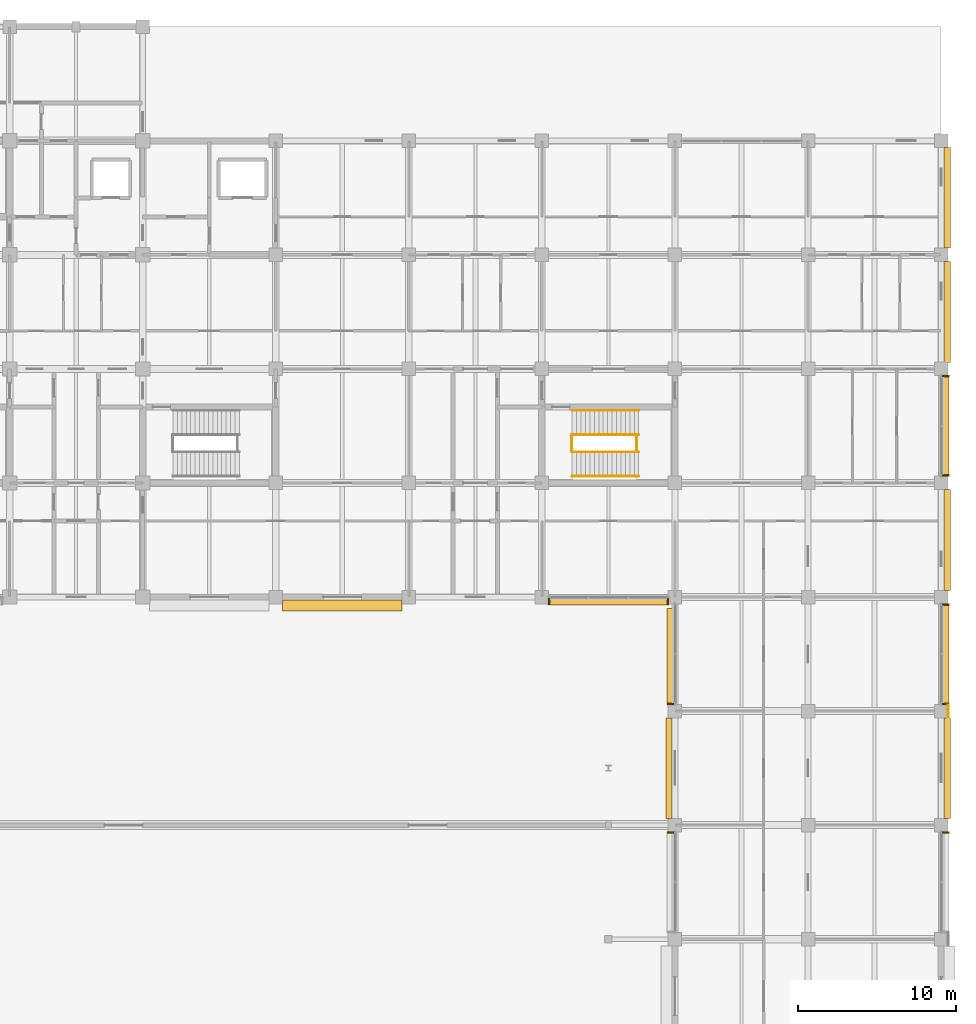
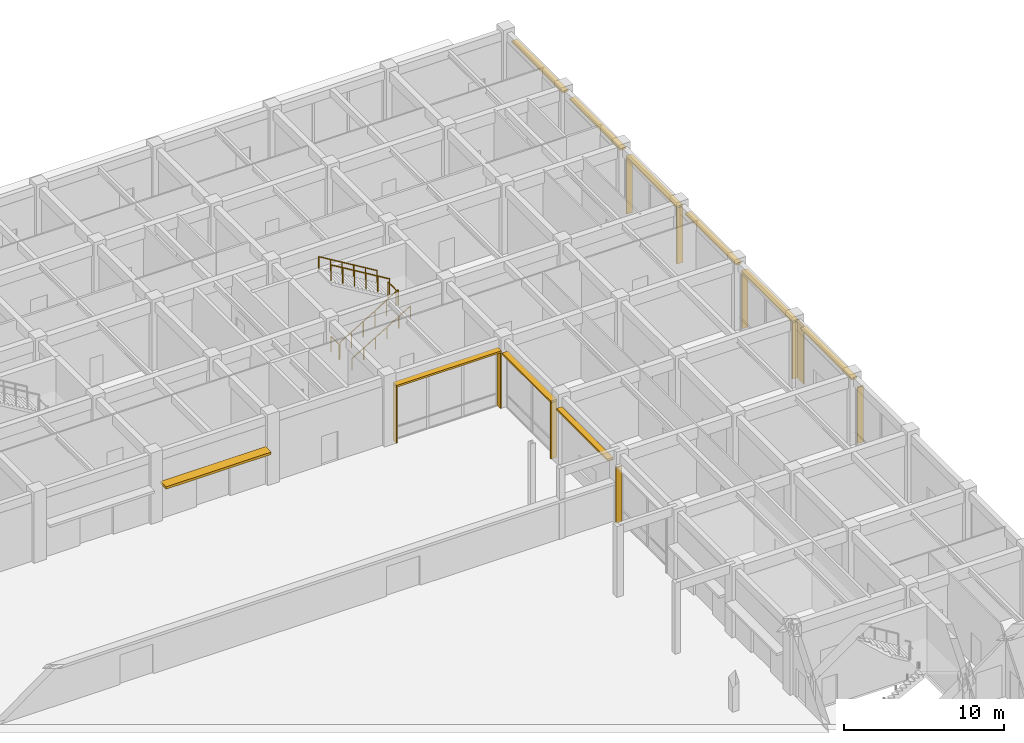
# One storey, part 73 of 73: 19 shading devices, 6 railings, 1 covering.
"""IFC4 building model written with IfcOpenShell, lengths in metres."""

from ifc_helpers import new_model, si_unit, direction, frame, origin, origin_2d, place, context, subcontext, project, spatial, rectangle, circle, extrude, material, layer, layer_set, type_object, element, save


model = new_model("IFC4")

# Units and contexts
model_context = context("Model", 3, precision=1e-05, world=origin(), true_north=direction((0.0, 1.0)))
body_context = subcontext(model_context, "Body", "Model", "MODEL_VIEW")
ifc_project = project(units=[si_unit("LENGTHUNIT", "METRE"), si_unit("AREAUNIT", "SQUARE_METRE"), si_unit("VOLUMEUNIT", "CUBIC_METRE"), si_unit("PLANEANGLEUNIT", "RADIAN"), si_unit("MASSUNIT", "GRAM", prefix="KILO")], contexts=[model_context])

# Site, building, storey
site_placement = place(None, origin())
site = spatial("IfcSite", under=ifc_project, at=site_placement, CompositionType="ELEMENT")
building_placement = place(site_placement, origin())
building = spatial("IfcBuilding", under=site, at=building_placement, Name="Chengyuan Square Courthouse", CompositionType="ELEMENT")
storey_placement = place(building_placement, origin())
storey = spatial("IfcBuildingStorey", under=building, at=storey_placement, Name="L01", CompositionType="ELEMENT", Elevation=0.0)

# Covering
ifc_material_1 = material(Name="Flamed Liaoning Granite Column Cladding", Category="masonry")
ifc_layer = layer(ifc_material_1, 0.050048828125)
ifc_layer_set = layer_set([ifc_layer], Name="Flamed Liaoning Granite Column Cladding")
covering_type = type_object("IfcCoveringType", Name="CLD-01", PredefinedType="CLADDING", material=ifc_layer_set)
covering_placement = place(storey_placement, frame((168.445068359375, 72.0, 0.0), z_axis=(0.0, 0.0, 1.0), x_axis=(1.0, 0.0, 0.0)))
element("IfcCovering", 1, at=covering_placement, inside=storey, type_object=covering_type, Name="Granite Column Cladding CLD-L01-12", PredefinedType="CLADDING", context=body_context, shape_type="SweptSolid", body=[
    extrude(rectangle(XDim=0.050048828125, YDim=0.800048828125, at=origin_2d()), origin(), (0.0, 0.0, 1.0), 4.5),
])

# Railings
ifc_material_2 = material(Name="Tempered Glass and Timber Top-Rail Balustrade", Category="wood")
railing_type_1 = type_object("IfcRailingType", Name="RL-02", PredefinedType="BALUSTRADE", material=ifc_material_2)
for number, where, name in (
    (2, (144.68994140625, 88.39990234375, 0.0), "Stair Floor Slot Guard ST-10 L01"),
    (3, (148.7900390625, 88.39990234375, 2.699951171875), "Stair Landing Guard ST-10-L01"),
):
    element("IfcRailing", number, at=place(storey_placement, frame(where)), inside=storey, type_object=railing_type_1, Name=name, PredefinedType="BALUSTRADE", context=body_context, shape_type="SweptSolid", body=[
        extrude(circle(Radius=0.02392578125, at=origin_2d()), frame((0.0, 0.0, 1.17578125), z_axis=(0.0, 1.0, 0.0), x_axis=(-1.0, 0.0, 0.0)), (0.0, 0.0, 1.0), 1.0),
        extrude(circle(Radius=0.02099609375, at=origin_2d()), origin(), (0.0, 0.0, 1.0), 1.15185546875),
        extrude(circle(Radius=0.02099609375, at=origin_2d()), frame((0.0, 1.0, 0.0)), (0.0, 0.0, 1.0), 1.15185546875),
    ])
railing_1_placement = place(storey_placement, frame((144.7099609375, 88.35009765625, 0.168701171875)))
element("IfcRailing", 4, at=railing_1_placement, inside=storey, type_object=railing_type_1, Name="Stair Flight 1 Guard ST-10-L01", PredefinedType="BALUSTRADE", context=body_context, shape_type="SweptSolid", body=[
    extrude(circle(Radius=0.02392578125, at=origin_2d()), frame((0.0, 0.0, 1.17578125), z_axis=(0.856476492594, 0.0, 0.516186030065), x_axis=(0.0, 1.0, 0.0)), (0.0, 0.0, 1.0), 4.90380859375),
    extrude(circle(Radius=0.02099609375, at=origin_2d()), origin(), (0.0, 0.0, 1.0), 1.15185546875),
    extrude(circle(Radius=0.02099609375, at=origin_2d()), frame((0.840087890625, 0.0, 0.50634765625)), (0.0, 0.0, 1.0), 1.15185546875),
    extrude(circle(Radius=0.02099609375, at=origin_2d()), frame((1.679931640625, 0.0, 1.012451171875)), (0.0, 0.0, 1.0), 1.15185546875),
    extrude(circle(Radius=0.02099609375, at=origin_2d()), frame((2.52001953125, 0.0, 1.518798828125)), (0.0, 0.0, 1.0), 1.15185546875),
    extrude(circle(Radius=0.02099609375, at=origin_2d()), frame((3.35986328125, 0.0, 2.02490234375)), (0.0, 0.0, 1.0), 1.15185546875),
    extrude(circle(Radius=0.02099609375, at=origin_2d()), frame((4.199951171875, 0.0, 2.53125)), (0.0, 0.0, 1.0), 1.15185546875),
])
railing_2_placement = place(storey_placement, frame((148.909912109375, 89.449951171875, 2.868896484375)))
element("IfcRailing", 5, at=railing_2_placement, inside=storey, type_object=railing_type_1, Name="Stair Flight 2 Guard ST-10-L01", PredefinedType="BALUSTRADE", context=body_context, shape_type="SweptSolid", body=[
    extrude(circle(Radius=0.02392578125, at=origin_2d()), frame((0.0, 0.0, 1.17578125), z_axis=(-0.856498503035, 0.0, 0.5161495077), x_axis=(0.0, -1.0, 0.0)), (0.0, 0.0, 1.0), 4.903564453125),
    extrude(circle(Radius=0.02099609375, at=origin_2d()), origin(), (0.0, 0.0, 1.0), 1.15185546875),
    extrude(circle(Radius=0.02099609375, at=origin_2d()), frame((-0.840087890625, 0.0, 0.506103515625)), (0.0, 0.0, 1.0), 1.15185546875),
    extrude(circle(Radius=0.02099609375, at=origin_2d()), frame((-1.679931640625, 0.0, 1.012451171875)), (0.0, 0.0, 1.0), 1.15185546875),
    extrude(circle(Radius=0.02099609375, at=origin_2d()), frame((-2.52001953125, 0.0, 1.5185546875)), (0.0, 0.0, 1.0), 1.15185546875),
    extrude(circle(Radius=0.02099609375, at=origin_2d()), frame((-3.35986328125, 0.0, 2.02490234375)), (0.0, 0.0, 1.0), 1.15185546875),
    extrude(circle(Radius=0.02099609375, at=origin_2d()), frame((-4.199951171875, 0.0, 2.531005859375)), (0.0, 0.0, 1.0), 1.15185546875),
])
ifc_material_3 = material(Name="Stainless Steel S30408 Stair Handrail", Category="steel")
railing_type_2 = type_object("IfcRailingType", Name="RL-04", PredefinedType="HANDRAIL", material=ifc_material_3)
railing_3_placement = place(storey_placement, frame((144.7099609375, 86.820068359375, 0.168701171875)))
element("IfcRailing", 6, at=railing_3_placement, inside=storey, type_object=railing_type_2, Name="Stair Flight 1 Handrail ST-10-L01", PredefinedType="HANDRAIL", context=body_context, shape_type="SweptSolid", body=[
    extrude(circle(Radius=0.02392578125, at=origin_2d()), frame((0.0, 0.0, 0.8759765625), z_axis=(0.856476492594, 0.0, 0.516186030065), x_axis=(0.0, 1.0, 0.0)), (0.0, 0.0, 1.0), 4.90380859375),
    extrude(circle(Radius=0.02099609375, at=origin_2d()), origin(), (0.0, 0.0, 1.0), 0.851806640625),
    extrude(circle(Radius=0.02099609375, at=origin_2d()), frame((0.840087890625, 0.0, 0.50634765625)), (0.0, 0.0, 1.0), 0.851806640625),
    extrude(circle(Radius=0.02099609375, at=origin_2d()), frame((1.679931640625, 0.0, 1.012451171875)), (0.0, 0.0, 1.0), 0.851806640625),
    extrude(circle(Radius=0.02099609375, at=origin_2d()), frame((2.52001953125, 0.0, 1.518798828125)), (0.0, 0.0, 1.0), 0.851806640625),
    extrude(circle(Radius=0.02099609375, at=origin_2d()), frame((3.35986328125, 0.0, 2.02490234375)), (0.0, 0.0, 1.0), 0.851806640625),
    extrude(circle(Radius=0.02099609375, at=origin_2d()), frame((4.199951171875, 0.0, 2.53125)), (0.0, 0.0, 1.0), 0.851806640625),
])
railing_4_placement = place(storey_placement, frame((148.909912109375, 90.97998046875, 2.868896484375)))
element("IfcRailing", 7, at=railing_4_placement, inside=storey, type_object=railing_type_2, Name="Stair Flight 2 Handrail ST-10-L01", PredefinedType="HANDRAIL", context=body_context, shape_type="SweptSolid", body=[
    extrude(circle(Radius=0.02392578125, at=origin_2d()), frame((0.0, 0.0, 0.8759765625), z_axis=(-0.856498503035, 0.0, 0.5161495077), x_axis=(0.0, -1.0, 0.0)), (0.0, 0.0, 1.0), 4.903564453125),
    extrude(circle(Radius=0.02099609375, at=origin_2d()), origin(), (0.0, 0.0, 1.0), 0.851806640625),
    extrude(circle(Radius=0.02099609375, at=origin_2d()), frame((-0.840087890625, 0.0, 0.506103515625)), (0.0, 0.0, 1.0), 0.851806640625),
    extrude(circle(Radius=0.02099609375, at=origin_2d()), frame((-1.679931640625, 0.0, 1.012451171875)), (0.0, 0.0, 1.0), 0.851806640625),
    extrude(circle(Radius=0.02099609375, at=origin_2d()), frame((-2.52001953125, 0.0, 1.5185546875)), (0.0, 0.0, 1.0), 0.851806640625),
    extrude(circle(Radius=0.02099609375, at=origin_2d()), frame((-3.35986328125, 0.0, 2.02490234375)), (0.0, 0.0, 1.0), 0.851806640625),
    extrude(circle(Radius=0.02099609375, at=origin_2d()), frame((-4.199951171875, 0.0, 2.531005859375)), (0.0, 0.0, 1.0), 0.851806640625),
])

# Shading devices
ifc_material_4 = material(Name="Glulam TCt28 Solar Shading Fin", Category="wood")
shading_device_type_1 = type_object("IfcShadingDeviceType", Name="SHD-01", PredefinedType="JALOUSIE", material=ifc_material_4)
for number, where, z_axis, x_axis, name in (
    (8, (143.2548828125, 78.91796875, 0.0400390625), (0.0, 0.0, 1.0), (0.0, 1.0, 0.0), "Glulam Solar Fin SHD-L01-0076"),
    (9, (150.7451171875, 78.91796875, 0.0400390625), (0.0, 0.0, 1.0), (0.0, 1.0, 0.0), "Glulam Solar Fin SHD-L01-0077"),
    (10, (150.907958984375, 64.342529296875, 0.0400390625), (0.0, 0.0, 1.0), (1.0, 0.0, 0.0), "Glulam Solar Fin SHD-L01-0096"),
    (11, (150.907958984375, 72.45751953125, 0.0400390625), (0.0, 0.0, 1.0), (1.0, 0.0, 0.0), "Glulam Solar Fin SHD-L01-0099"),
    (12, (168.2919921875, 64.342529296875, 0.0400390625), (0.0, 0.0, 1.0), (1.0, 0.0, 0.0), "Glulam Solar Fin SHD-L01-0121"),
    (13, (168.2919921875, 72.45751953125, 0.0400390625), (0.0, 0.0, 1.0), (1.0, 0.0, 0.0), "Glulam Solar Fin SHD-L01-0124"),
    (14, (168.2919921875, 78.742431640625, 0.0400390625), (0.0, 0.0, 1.0), (1.0, 0.0, 0.0), "Glulam Solar Fin SHD-L01-0125"),
    (15, (168.2919921875, 86.857421875, 0.0400390625), (0.0, 0.0, 1.0), (1.0, 0.0, 0.0), "Glulam Solar Fin SHD-L01-0128"),
    (16, (168.2919921875, 93.142578125, 0.0400390625), (0.0, 0.0, 1.0), (1.0, 0.0, 0.0), "Glulam Solar Fin SHD-L01-0129"),
):
    element("IfcShadingDevice", number, at=place(storey_placement, frame(where, z_axis=z_axis, x_axis=x_axis)), inside=storey, type_object=shading_device_type_1, Name=name, PredefinedType="JALOUSIE", context=body_context, shape_type="SweptSolid", body=[
        extrude(rectangle(XDim=0.419921875, YDim=0.094970703125, at=origin_2d()), origin(), (0.0, 0.0, 1.0), 4.260009765625),
    ])
ifc_material_5 = material(Name="Glulam TCt28 Sunshade Louvre", Category="wood")
shading_device_type_2 = type_object("IfcShadingDeviceType", Name="SHD-02", PredefinedType="AWNING", material=ifc_material_5)
shading_device_1_placement = place(storey_placement, frame((147.0, 78.91796875, 4.30029296875), z_axis=(0.0, 0.0, 1.0), x_axis=(1.0, 0.0, 0.0)))
element("IfcShadingDevice", 17, at=shading_device_1_placement, inside=storey, type_object=shading_device_type_2, Name="Glulam Sunshade Louvre SHD-L01-0078", PredefinedType="AWNING", context=body_context, shape_type="SweptSolid", body=[
    extrude(rectangle(XDim=7.550048828125, YDim=0.43994140625, at=origin_2d()), origin(), (0.0, 0.0, 1.0), 0.139892578125),
])
shading_device_2_placement = place(storey_placement, frame((150.907958984375, 75.449951171875, 4.30029296875), z_axis=(0.0, 0.0, 1.0), x_axis=(0.0, 1.0, 0.0)))
element("IfcShadingDevice", 18, at=shading_device_2_placement, inside=storey, type_object=shading_device_type_2, Name="Glulam Sunshade Louvre SHD-L01-0100", PredefinedType="AWNING", context=body_context, shape_type="SweptSolid", body=[
    extrude(rectangle(XDim=6.050048828125, YDim=0.43994140625, at=origin_2d()), origin(), (0.0, 0.0, 1.0), 0.139892578125),
])
for number, where, z_axis, x_axis, name in (
    (19, (168.2919921875, 75.60009765625, 4.30029296875), (0.0, 0.0, 1.0), (0.0, 1.0, 0.0), "Glulam Sunshade Louvre SHD-L01-0126"),
    (20, (168.2919921875, 90.0, 4.30029296875), (0.0, 0.0, 1.0), (0.0, 1.0, 0.0), "Glulam Sunshade Louvre SHD-L01-0130"),
):
    element("IfcShadingDevice", number, at=place(storey_placement, frame(where, z_axis=z_axis, x_axis=x_axis)), inside=storey, type_object=shading_device_type_2, Name=name, PredefinedType="AWNING", context=body_context, shape_type="SweptSolid", body=[
        extrude(rectangle(XDim=6.35009765625, YDim=0.43994140625, at=origin_2d()), origin(), (0.0, 0.0, 1.0), 0.139892578125),
    ])
ifc_material_6 = material(Name="Glulam TCt28 Facade Sunshade", Category="wood")
shading_device_type_3 = type_object("IfcShadingDeviceType", Name="SHD-03", PredefinedType="AWNING", material=ifc_material_6)
for number, where, z_axis, x_axis, name in (
    (21, (150.818115234375, 68.39990234375, 4.2802734375), (0.0, 0.0, 1.0), (0.0, 1.0, 0.0), "Glulam Facade Sunshade SHD-L01-0098"),
    (22, (168.382080078125, 68.39990234375, 4.2802734375), (0.0, 0.0, 1.0), (0.0, 1.0, 0.0), "Glulam Facade Sunshade SHD-L01-0123"),
    (23, (168.382080078125, 82.800048828125, 4.2802734375), (0.0, 0.0, 1.0), (0.0, 1.0, 0.0), "Glulam Facade Sunshade SHD-L01-0127"),
    (24, (168.382080078125, 97.199951171875, 4.2802734375), (0.0, 0.0, 1.0), (0.0, 1.0, 0.0), "Glulam Facade Sunshade SHD-L01-0131"),
    (25, (168.382080078125, 104.39990234375, 4.2802734375), (0.0, 0.0, 1.0), (0.0, 1.0, 0.0), "Glulam Facade Sunshade SHD-L01-0132"),
):
    element("IfcShadingDevice", number, at=place(storey_placement, frame(where, z_axis=z_axis, x_axis=x_axis)), inside=storey, type_object=shading_device_type_3, Name=name, PredefinedType="AWNING", context=body_context, shape_type="SweptSolid", body=[
        extrude(rectangle(XDim=6.360107421875, YDim=0.39990234375, at=origin_2d()), origin(), (0.0, 0.0, 1.0), 0.139892578125),
    ])
ifc_material_7 = material(Name="Glulam TCt28 Entrance Canopy", Category="wood")
shading_device_type_4 = type_object("IfcShadingDeviceType", Name="SHD-05", PredefinedType="AWNING", material=ifc_material_7)
shading_device_3_placement = place(storey_placement, frame((130.199951171875, 78.66796875, 2.66015625), z_axis=(0.0, 0.0, 1.0), x_axis=(1.0, 0.0, 0.0)))
element("IfcShadingDevice", 26, at=shading_device_3_placement, inside=storey, type_object=shading_device_type_4, Name="Glulam Entrance Canopy SHD-L01-0075", PredefinedType="AWNING", context=body_context, shape_type="SweptSolid", body=[
    extrude(rectangle(XDim=7.56005859375, YDim=0.699951171875, at=origin_2d()), origin(), (0.0, 0.0, 1.0), 0.179931640625),
])

save(model, "model.ifc")
